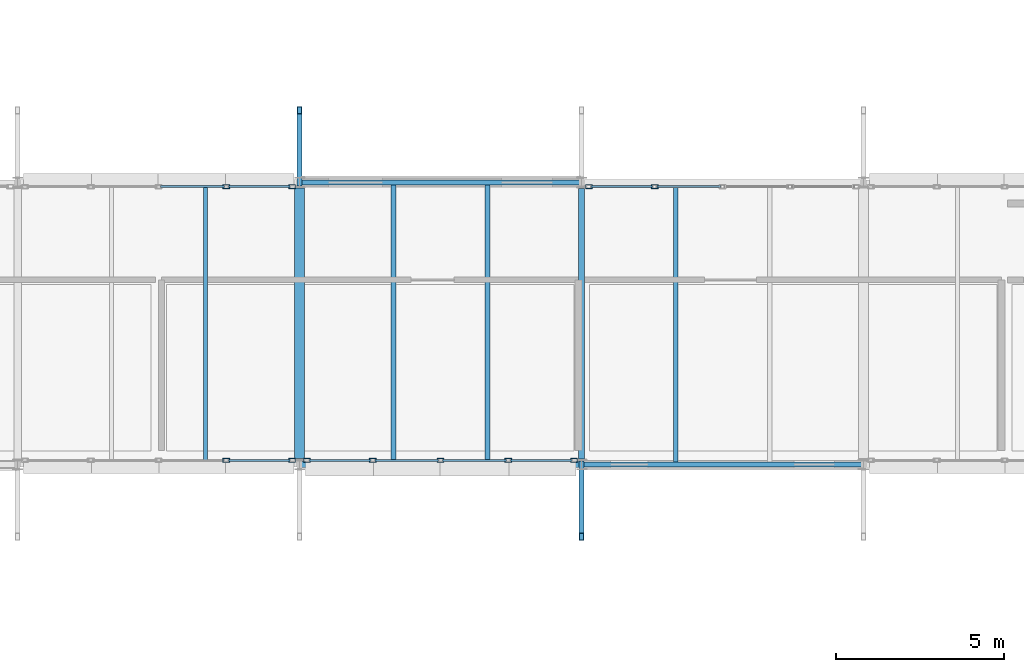
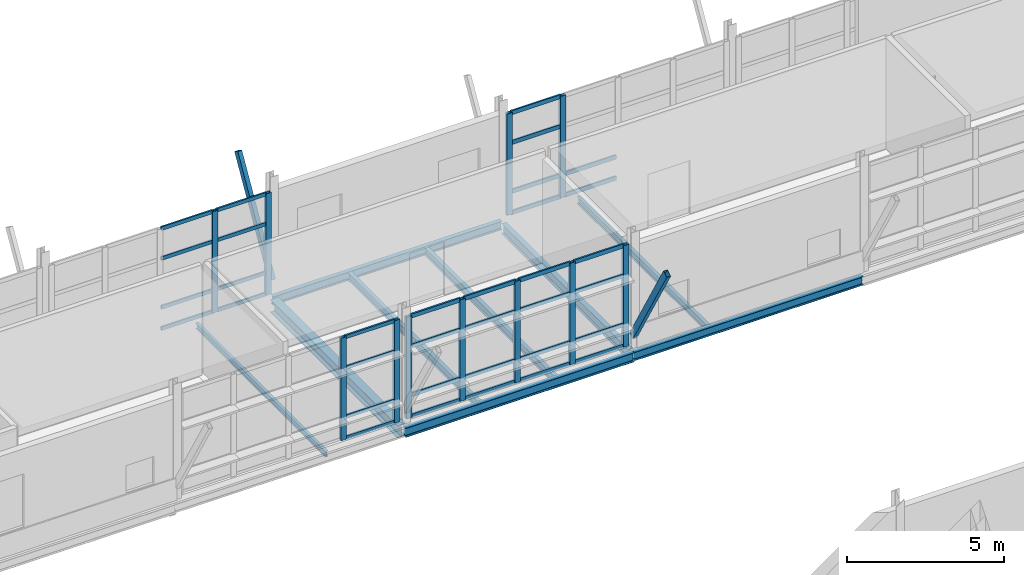
# One storey, part 29 of 129: 47 members, 9 beams, 4 elements without a shape of their own.
"""IFC4 building model written with IfcOpenShell, lengths in metres."""

from ifc_helpers import new_model, si_unit, direction, frame, origin, origin_2d, place, context, subcontext, project, spatial, hollow_rectangle, i_section, extrude, material, material_profile, profile_set, type_object, element, aggregate, save


model = new_model("IFC4")

# Units and contexts
model_context = context("Model", 3, precision=1e-05, world=origin(), true_north=direction((0.0, 1.0)))
body_context = subcontext(model_context, "Body", "Model", "MODEL_VIEW")
ifc_project = project(units=[si_unit("LENGTHUNIT", "METRE"), si_unit("AREAUNIT", "SQUARE_METRE"), si_unit("VOLUMEUNIT", "CUBIC_METRE"), si_unit("PLANEANGLEUNIT", "RADIAN"), si_unit("MASSUNIT", "GRAM", prefix="KILO")], contexts=[model_context])

# Site, building, storey
site_placement = place(None, origin())
site = spatial("IfcSite", under=ifc_project, at=site_placement, CompositionType="ELEMENT")
building_placement = place(site_placement, origin())
building = spatial("IfcBuilding", under=site, at=building_placement, Name="Mersafa Astral City Hall", CompositionType="ELEMENT")
storey_placement = place(building_placement, frame((0.0, 0.0, 5.39990234375)))
storey = spatial("IfcBuildingStorey", under=building, at=storey_placement, Name="L01", CompositionType="ELEMENT", Elevation=5.39990234375)

# Curtain wall, members
ifc_material_1 = material(Name="Anodised bronze aluminium framing", Category="aluminium")
curtain_wall_type_1 = type_object("IfcCurtainWallType", Name="ENV-CW-1", PredefinedType="USERDEFINED", material=ifc_material_1)
curtain_wall_1_placement = place(storey_placement, origin())
curtain_wall_1 = element("IfcCurtainWall", 1, at=curtain_wall_1_placement, inside=storey, type_object=curtain_wall_type_1, Name="L01 Unitised solar curtain wall 96", ObjectType="UNITISED CURTAIN WALL", PredefinedType="USERDEFINED")
ifc_material_profile_1 = material_profile(ifc_material_1, hollow_rectangle(XDim=0.1201171875, YDim=0.199951171875, WallThickness=0.008056640625, at=origin_2d()), Name="RHS 120x200x8")
ifc_profile_set_1 = profile_set([ifc_material_profile_1], Name="Anodised bronze aluminium framing")
member_type_1 = type_object("IfcMemberType", Name="ENV-CW-MUL-2", PredefinedType="MULLION", material=ifc_profile_set_1)
member_1_placement = place(storey_placement, frame((77.781005859375, 58.679931640625, -0.001953125), z_axis=(0.0, 0.0, 1.0), x_axis=(0.0, -1.0, 0.0)))
member_1 = element("IfcMember", 2, at=member_1_placement, type_object=member_type_1, Name="CW-1 mullion 4", PredefinedType="MULLION", context=body_context, shape_type="SweptSolid", body=[
    extrude(hollow_rectangle(XDim=0.1201171875, YDim=0.199951171875, WallThickness=0.008056640625, at=origin_2d()), origin(), (0.0, 0.0, 1.0), 3.93896484375),
])
member_2_placement = place(storey_placement, frame((75.822021484375, 58.679931640625, -0.001953125), z_axis=(0.0, 0.0, 1.0), x_axis=(0.0, -1.0, 0.0)))
member_2 = element("IfcMember", 3, at=member_2_placement, type_object=member_type_1, Name="CW-1 mullion 5", PredefinedType="MULLION", context=body_context, shape_type="SweptSolid", body=[
    extrude(hollow_rectangle(XDim=0.1201171875, YDim=0.199951171875, WallThickness=0.008056640625, at=origin_2d()), origin(), (0.0, 0.0, 1.0), 3.93896484375),
])

curtain_wall_type_2 = type_object("IfcCurtainWallType", Name="ENV-CW-2", PredefinedType="USERDEFINED", material=ifc_material_1)
curtain_wall_2_placement = place(storey_placement, origin())
curtain_wall_2 = element("IfcCurtainWall", 4, at=curtain_wall_2_placement, inside=storey, type_object=curtain_wall_type_2, Name="L01 Unitised solar curtain wall 97", ObjectType="UNITISED CURTAIN WALL", PredefinedType="USERDEFINED")
member_3_placement = place(storey_placement, frame((66.97802734375, 58.679931640625, -0.001953125), z_axis=(0.0, 0.0, 1.0), x_axis=(0.0, -1.0, 0.0)))
member_3 = element("IfcMember", 5, at=member_3_placement, type_object=member_type_1, Name="CW-2 mullion 1", PredefinedType="MULLION", context=body_context, shape_type="SweptSolid", body=[
    extrude(hollow_rectangle(XDim=0.1201171875, YDim=0.199951171875, WallThickness=0.008056640625, at=origin_2d()), origin(), (0.0, 0.0, 1.0), 3.93896484375),
])
member_4_placement = place(storey_placement, frame((65.01904296875, 58.679931640625, -0.001953125), z_axis=(0.0, 0.0, 1.0), x_axis=(0.0, -1.0, 0.0)))
member_4 = element("IfcMember", 6, at=member_4_placement, type_object=member_type_1, Name="CW-2 mullion 2", PredefinedType="MULLION", context=body_context, shape_type="SweptSolid", body=[
    extrude(hollow_rectangle(XDim=0.1201171875, YDim=0.199951171875, WallThickness=0.008056640625, at=origin_2d()), origin(), (0.0, 0.0, 1.0), 3.93896484375),
])

curtain_wall_type_3 = type_object("IfcCurtainWallType", Name="ENV-CW-6", PredefinedType="USERDEFINED", material=ifc_material_1)
curtain_wall_3_placement = place(storey_placement, origin())
curtain_wall_3 = element("IfcCurtainWall", 7, at=curtain_wall_3_placement, inside=storey, type_object=curtain_wall_type_3, Name="L01 Unitised solar curtain wall 101", ObjectType="UNITISED CURTAIN WALL", PredefinedType="USERDEFINED")
member_5_placement = place(storey_placement, frame((65.01904296875, 50.52001953125, -0.001953125), z_axis=(0.0, 0.0, 1.0), x_axis=(0.0, 1.0, 0.0)))
member_5 = element("IfcMember", 8, at=member_5_placement, type_object=member_type_1, Name="CW-6 mullion 4", PredefinedType="MULLION", context=body_context, shape_type="SweptSolid", body=[
    extrude(hollow_rectangle(XDim=0.1201171875, YDim=0.199951171875, WallThickness=0.008056640625, at=origin_2d()), origin(), (0.0, 0.0, 1.0), 3.968994140625),
])
member_6_placement = place(storey_placement, frame((66.97802734375, 50.52001953125, -0.001953125), z_axis=(0.0, 0.0, 1.0), x_axis=(0.0, 1.0, 0.0)))
member_6 = element("IfcMember", 9, at=member_6_placement, type_object=member_type_1, Name="CW-6 mullion 5", PredefinedType="MULLION", context=body_context, shape_type="SweptSolid", body=[
    extrude(hollow_rectangle(XDim=0.1201171875, YDim=0.199951171875, WallThickness=0.008056640625, at=origin_2d()), origin(), (0.0, 0.0, 1.0), 3.968994140625),
])

curtain_wall_4_placement = place(storey_placement, origin())
curtain_wall_4 = element("IfcCurtainWall", 10, at=curtain_wall_4_placement, inside=storey, type_object=curtain_wall_type_1, Name="L01 Unitised solar curtain wall 102", ObjectType="UNITISED CURTAIN WALL", PredefinedType="USERDEFINED")
member_7_placement = place(storey_placement, frame((67.422119140625, 50.52001953125, -0.001953125), z_axis=(0.0, 0.0, 1.0), x_axis=(0.0, 1.0, 0.0)))
member_7 = element("IfcMember", 11, at=member_7_placement, type_object=member_type_1, Name="CW-1 mullion 1", PredefinedType="MULLION", context=body_context, shape_type="SweptSolid", body=[
    extrude(hollow_rectangle(XDim=0.1201171875, YDim=0.199951171875, WallThickness=0.008056640625, at=origin_2d()), origin(), (0.0, 0.0, 1.0), 3.93896484375),
])
member_8_placement = place(storey_placement, frame((69.381103515625, 50.52001953125, -0.001953125), z_axis=(0.0, 0.0, 1.0), x_axis=(0.0, 1.0, 0.0)))
member_8 = element("IfcMember", 12, at=member_8_placement, type_object=member_type_1, Name="CW-1 mullion 2", PredefinedType="MULLION", context=body_context, shape_type="SweptSolid", body=[
    extrude(hollow_rectangle(XDim=0.1201171875, YDim=0.199951171875, WallThickness=0.008056640625, at=origin_2d()), origin(), (0.0, 0.0, 1.0), 3.93896484375),
])
member_9_placement = place(storey_placement, frame((71.39990234375, 50.52001953125, -0.001953125), z_axis=(0.0, 0.0, 1.0), x_axis=(0.0, 1.0, 0.0)))
member_9 = element("IfcMember", 13, at=member_9_placement, type_object=member_type_1, Name="CW-1 mullion 3", PredefinedType="MULLION", context=body_context, shape_type="SweptSolid", body=[
    extrude(hollow_rectangle(XDim=0.1201171875, YDim=0.199951171875, WallThickness=0.008056640625, at=origin_2d()), origin(), (0.0, 0.0, 1.0), 3.93896484375),
])
member_10_placement = place(storey_placement, frame((73.4189453125, 50.52001953125, -0.001953125), z_axis=(0.0, 0.0, 1.0), x_axis=(0.0, 1.0, 0.0)))
member_10 = element("IfcMember", 14, at=member_10_placement, type_object=member_type_1, Name="CW-1 mullion 4", PredefinedType="MULLION", context=body_context, shape_type="SweptSolid", body=[
    extrude(hollow_rectangle(XDim=0.1201171875, YDim=0.199951171875, WallThickness=0.008056640625, at=origin_2d()), origin(), (0.0, 0.0, 1.0), 3.93896484375),
])
member_11_placement = place(storey_placement, frame((75.3779296875, 50.52001953125, -0.001953125), z_axis=(0.0, 0.0, 1.0), x_axis=(0.0, 1.0, 0.0)))
member_11 = element("IfcMember", 15, at=member_11_placement, type_object=member_type_1, Name="CW-1 mullion 5", PredefinedType="MULLION", context=body_context, shape_type="SweptSolid", body=[
    extrude(hollow_rectangle(XDim=0.1201171875, YDim=0.199951171875, WallThickness=0.008056640625, at=origin_2d()), origin(), (0.0, 0.0, 1.0), 3.93896484375),
])

# Member
ifc_material_profile_2 = material_profile(ifc_material_1, hollow_rectangle(XDim=0.06005859375, YDim=0.139892578125, WallThickness=0.00390625, at=origin_2d()), Name="RHS 60x140x4")
ifc_profile_set_2 = profile_set([ifc_material_profile_2], Name="Anodised bronze aluminium framing")
member_type_2 = type_object("IfcMemberType", Name="ENV-CW-TRN-1", PredefinedType="USERDEFINED", material=ifc_profile_set_2)
member_12_placement = place(storey_placement, frame((66.91796875, 58.679931640625, 0.028076171875), z_axis=(-1.0, 0.0, 0.0), x_axis=(0.0, -1.0, 0.0)))
member_12 = element("IfcMember", 16, at=member_12_placement, type_object=member_type_2, Name="CW-2 transom 1.1", ObjectType="TRANSOM", PredefinedType="USERDEFINED", context=body_context, shape_type="SweptSolid", body=[
    extrude(hollow_rectangle(XDim=0.06005859375, YDim=0.139892578125, WallThickness=0.00390625, at=origin_2d()), origin(), (0.0, 0.0, 1.0), 1.8388671875),
])

member_13_placement = place(storey_placement, frame((66.91796875, 58.679931640625, 0.85009765625), z_axis=(-1.0, 0.0, 0.0), x_axis=(0.0, -1.0, 0.0)))
member_13 = element("IfcMember", 17, at=member_13_placement, type_object=member_type_2, Name="CW-2 transom 1.2", ObjectType="TRANSOM", PredefinedType="USERDEFINED", context=body_context, shape_type="SweptSolid", body=[
    extrude(hollow_rectangle(XDim=0.06005859375, YDim=0.139892578125, WallThickness=0.00390625, at=origin_2d()), origin(), (0.0, 0.0, 1.0), 1.8388671875),
])

member_14_placement = place(storey_placement, frame((66.91796875, 58.679931640625, 2.75), z_axis=(-1.0, 0.0, 0.0), x_axis=(0.0, -1.0, 0.0)))
member_14 = element("IfcMember", 18, at=member_14_placement, type_object=member_type_2, Name="CW-2 transom 1.3", ObjectType="TRANSOM", PredefinedType="USERDEFINED", context=body_context, shape_type="SweptSolid", body=[
    extrude(hollow_rectangle(XDim=0.06005859375, YDim=0.139892578125, WallThickness=0.00390625, at=origin_2d()), origin(), (0.0, 0.0, 1.0), 1.8388671875),
])

member_15_placement = place(storey_placement, frame((66.91796875, 58.679931640625, 3.906982421875), z_axis=(-1.0, 0.0, 0.0), x_axis=(0.0, -1.0, 0.0)))
member_15 = element("IfcMember", 19, at=member_15_placement, type_object=member_type_2, Name="CW-2 transom 1.4", ObjectType="TRANSOM", PredefinedType="USERDEFINED", context=body_context, shape_type="SweptSolid", body=[
    extrude(hollow_rectangle(XDim=0.06005859375, YDim=0.139892578125, WallThickness=0.00390625, at=origin_2d()), origin(), (0.0, 0.0, 1.0), 1.8388671875),
])

member_16_placement = place(storey_placement, frame((64.958984375, 58.679931640625, 0.028076171875), z_axis=(-1.0, 0.0, 0.0), x_axis=(0.0, -1.0, 0.0)))
member_16 = element("IfcMember", 20, at=member_16_placement, type_object=member_type_2, Name="CW-2 transom 2.1", ObjectType="TRANSOM", PredefinedType="USERDEFINED", context=body_context, shape_type="SweptSolid", body=[
    extrude(hollow_rectangle(XDim=0.06005859375, YDim=0.139892578125, WallThickness=0.00390625, at=origin_2d()), origin(), (0.0, 0.0, 1.0), 1.89892578125),
])

member_17_placement = place(storey_placement, frame((64.958984375, 58.679931640625, 0.85009765625), z_axis=(-1.0, 0.0, 0.0), x_axis=(0.0, -1.0, 0.0)))
member_17 = element("IfcMember", 21, at=member_17_placement, type_object=member_type_2, Name="CW-2 transom 2.2", ObjectType="TRANSOM", PredefinedType="USERDEFINED", context=body_context, shape_type="SweptSolid", body=[
    extrude(hollow_rectangle(XDim=0.06005859375, YDim=0.139892578125, WallThickness=0.00390625, at=origin_2d()), origin(), (0.0, 0.0, 1.0), 1.89892578125),
])

member_18_placement = place(storey_placement, frame((64.958984375, 58.679931640625, 2.75), z_axis=(-1.0, 0.0, 0.0), x_axis=(0.0, -1.0, 0.0)))
member_18 = element("IfcMember", 22, at=member_18_placement, type_object=member_type_2, Name="CW-2 transom 2.3", ObjectType="TRANSOM", PredefinedType="USERDEFINED", context=body_context, shape_type="SweptSolid", body=[
    extrude(hollow_rectangle(XDim=0.06005859375, YDim=0.139892578125, WallThickness=0.00390625, at=origin_2d()), origin(), (0.0, 0.0, 1.0), 1.89892578125),
])

member_19_placement = place(storey_placement, frame((64.958984375, 58.679931640625, 3.906982421875), z_axis=(-1.0, 0.0, 0.0), x_axis=(0.0, -1.0, 0.0)))
member_19 = element("IfcMember", 23, at=member_19_placement, type_object=member_type_2, Name="CW-2 transom 2.4", ObjectType="TRANSOM", PredefinedType="USERDEFINED", context=body_context, shape_type="SweptSolid", body=[
    extrude(hollow_rectangle(XDim=0.06005859375, YDim=0.139892578125, WallThickness=0.00390625, at=origin_2d()), origin(), (0.0, 0.0, 1.0), 1.89892578125),
])

aggregate(curtain_wall_2, [member_3, member_4, member_12, member_13, member_14, member_15, member_16, member_17, member_18, member_19])

member_20_placement = place(storey_placement, frame((65.0791015625, 50.52001953125, 0.028076171875), z_axis=(1.0, 0.0, 0.0), x_axis=(0.0, 1.0, 0.0)))
member_20 = element("IfcMember", 24, at=member_20_placement, type_object=member_type_2, Name="CW-6 transom 4.1", ObjectType="TRANSOM", PredefinedType="USERDEFINED", context=body_context, shape_type="SweptSolid", body=[
    extrude(hollow_rectangle(XDim=0.06005859375, YDim=0.139892578125, WallThickness=0.00390625, at=origin_2d()), origin(), (0.0, 0.0, 1.0), 1.8388671875),
])

member_21_placement = place(storey_placement, frame((65.0791015625, 50.52001953125, 0.85009765625), z_axis=(1.0, 0.0, 0.0), x_axis=(0.0, 1.0, 0.0)))
member_21 = element("IfcMember", 25, at=member_21_placement, type_object=member_type_2, Name="CW-6 transom 4.2", ObjectType="TRANSOM", PredefinedType="USERDEFINED", context=body_context, shape_type="SweptSolid", body=[
    extrude(hollow_rectangle(XDim=0.06005859375, YDim=0.139892578125, WallThickness=0.00390625, at=origin_2d()), origin(), (0.0, 0.0, 1.0), 1.8388671875),
])

member_22_placement = place(storey_placement, frame((65.0791015625, 50.52001953125, 2.75), z_axis=(1.0, 0.0, 0.0), x_axis=(0.0, 1.0, 0.0)))
member_22 = element("IfcMember", 26, at=member_22_placement, type_object=member_type_2, Name="CW-6 transom 4.3", ObjectType="TRANSOM", PredefinedType="USERDEFINED", context=body_context, shape_type="SweptSolid", body=[
    extrude(hollow_rectangle(XDim=0.06005859375, YDim=0.139892578125, WallThickness=0.00390625, at=origin_2d()), origin(), (0.0, 0.0, 1.0), 1.8388671875),
])

member_23_placement = place(storey_placement, frame((65.0791015625, 50.52001953125, 3.93701171875), z_axis=(1.0, 0.0, 0.0), x_axis=(0.0, 1.0, 0.0)))
member_23 = element("IfcMember", 27, at=member_23_placement, type_object=member_type_2, Name="CW-6 transom 4.4", ObjectType="TRANSOM", PredefinedType="USERDEFINED", context=body_context, shape_type="SweptSolid", body=[
    extrude(hollow_rectangle(XDim=0.06005859375, YDim=0.139892578125, WallThickness=0.00390625, at=origin_2d()), origin(), (0.0, 0.0, 1.0), 1.8388671875),
])

aggregate(curtain_wall_3, [member_5, member_6, member_20, member_21, member_22, member_23])

ifc_material_profile_3 = material_profile(ifc_material_1, hollow_rectangle(XDim=0.06005859375, YDim=0.159912109375, WallThickness=0.00390625, at=origin_2d()), Name="RHS 60x160x4")
ifc_profile_set_3 = profile_set([ifc_material_profile_3], Name="Anodised bronze aluminium framing")
member_type_3 = type_object("IfcMemberType", Name="ENV-CW-TRN-2", PredefinedType="USERDEFINED", material=ifc_profile_set_3)
member_24_placement = place(storey_placement, frame((79.739990234375, 58.679931640625, 0.028076171875), z_axis=(-1.0, 0.0, 0.0), x_axis=(0.0, -1.0, 0.0)))
member_24 = element("IfcMember", 28, at=member_24_placement, type_object=member_type_3, Name="CW-1 transom 3.1", ObjectType="TRANSOM", PredefinedType="USERDEFINED", context=body_context, shape_type="SweptSolid", body=[
    extrude(hollow_rectangle(XDim=0.06005859375, YDim=0.159912109375, WallThickness=0.00390625, at=origin_2d()), origin(), (0.0, 0.0, 1.0), 1.89892578125),
])

member_25_placement = place(storey_placement, frame((79.739990234375, 58.679931640625, 0.85009765625), z_axis=(-1.0, 0.0, 0.0), x_axis=(0.0, -1.0, 0.0)))
member_25 = element("IfcMember", 29, at=member_25_placement, type_object=member_type_3, Name="CW-1 transom 3.2", ObjectType="TRANSOM", PredefinedType="USERDEFINED", context=body_context, shape_type="SweptSolid", body=[
    extrude(hollow_rectangle(XDim=0.06005859375, YDim=0.159912109375, WallThickness=0.00390625, at=origin_2d()), origin(), (0.0, 0.0, 1.0), 1.89892578125),
])

member_26_placement = place(storey_placement, frame((77.720947265625, 58.679931640625, 0.028076171875), z_axis=(-1.0, 0.0, 0.0), x_axis=(0.0, -1.0, 0.0)))
member_26 = element("IfcMember", 30, at=member_26_placement, type_object=member_type_3, Name="CW-1 transom 4.1", ObjectType="TRANSOM", PredefinedType="USERDEFINED", context=body_context, shape_type="SweptSolid", body=[
    extrude(hollow_rectangle(XDim=0.06005859375, YDim=0.159912109375, WallThickness=0.00390625, at=origin_2d()), origin(), (0.0, 0.0, 1.0), 1.8388671875),
])

member_27_placement = place(storey_placement, frame((77.720947265625, 58.679931640625, 0.85009765625), z_axis=(-1.0, 0.0, 0.0), x_axis=(0.0, -1.0, 0.0)))
member_27 = element("IfcMember", 31, at=member_27_placement, type_object=member_type_3, Name="CW-1 transom 4.2", ObjectType="TRANSOM", PredefinedType="USERDEFINED", context=body_context, shape_type="SweptSolid", body=[
    extrude(hollow_rectangle(XDim=0.06005859375, YDim=0.159912109375, WallThickness=0.00390625, at=origin_2d()), origin(), (0.0, 0.0, 1.0), 1.8388671875),
])

member_28_placement = place(storey_placement, frame((77.720947265625, 58.679931640625, 2.75), z_axis=(-1.0, 0.0, 0.0), x_axis=(0.0, -1.0, 0.0)))
member_28 = element("IfcMember", 32, at=member_28_placement, type_object=member_type_3, Name="CW-1 transom 4.3", ObjectType="TRANSOM", PredefinedType="USERDEFINED", context=body_context, shape_type="SweptSolid", body=[
    extrude(hollow_rectangle(XDim=0.06005859375, YDim=0.159912109375, WallThickness=0.00390625, at=origin_2d()), origin(), (0.0, 0.0, 1.0), 1.8388671875),
])

member_29_placement = place(storey_placement, frame((77.720947265625, 58.679931640625, 3.906982421875), z_axis=(-1.0, 0.0, 0.0), x_axis=(0.0, -1.0, 0.0)))
member_29 = element("IfcMember", 33, at=member_29_placement, type_object=member_type_3, Name="CW-1 transom 4.4", ObjectType="TRANSOM", PredefinedType="USERDEFINED", context=body_context, shape_type="SweptSolid", body=[
    extrude(hollow_rectangle(XDim=0.06005859375, YDim=0.159912109375, WallThickness=0.00390625, at=origin_2d()), origin(), (0.0, 0.0, 1.0), 1.8388671875),
])

aggregate(curtain_wall_1, [member_1, member_2, member_24, member_25, member_26, member_27, member_28, member_29])

member_30_placement = place(storey_placement, frame((67.48193359375, 50.52001953125, 0.028076171875), z_axis=(1.0, 0.0, 0.0), x_axis=(0.0, 1.0, 0.0)))
member_30 = element("IfcMember", 34, at=member_30_placement, type_object=member_type_3, Name="CW-1 transom 1.1", ObjectType="TRANSOM", PredefinedType="USERDEFINED", context=body_context, shape_type="SweptSolid", body=[
    extrude(hollow_rectangle(XDim=0.06005859375, YDim=0.159912109375, WallThickness=0.00390625, at=origin_2d()), origin(), (0.0, 0.0, 1.0), 1.839111328125),
])

member_31_placement = place(storey_placement, frame((67.48193359375, 50.52001953125, 0.85009765625), z_axis=(1.0, 0.0, 0.0), x_axis=(0.0, 1.0, 0.0)))
member_31 = element("IfcMember", 35, at=member_31_placement, type_object=member_type_3, Name="CW-1 transom 1.2", ObjectType="TRANSOM", PredefinedType="USERDEFINED", context=body_context, shape_type="SweptSolid", body=[
    extrude(hollow_rectangle(XDim=0.06005859375, YDim=0.159912109375, WallThickness=0.00390625, at=origin_2d()), origin(), (0.0, 0.0, 1.0), 1.839111328125),
])

member_32_placement = place(storey_placement, frame((67.48193359375, 50.52001953125, 2.75), z_axis=(1.0, 0.0, 0.0), x_axis=(0.0, 1.0, 0.0)))
member_32 = element("IfcMember", 36, at=member_32_placement, type_object=member_type_3, Name="CW-1 transom 1.3", ObjectType="TRANSOM", PredefinedType="USERDEFINED", context=body_context, shape_type="SweptSolid", body=[
    extrude(hollow_rectangle(XDim=0.06005859375, YDim=0.159912109375, WallThickness=0.00390625, at=origin_2d()), origin(), (0.0, 0.0, 1.0), 1.839111328125),
])

member_33_placement = place(storey_placement, frame((67.48193359375, 50.52001953125, 3.906982421875), z_axis=(1.0, 0.0, 0.0), x_axis=(0.0, 1.0, 0.0)))
member_33 = element("IfcMember", 37, at=member_33_placement, type_object=member_type_3, Name="CW-1 transom 1.4", ObjectType="TRANSOM", PredefinedType="USERDEFINED", context=body_context, shape_type="SweptSolid", body=[
    extrude(hollow_rectangle(XDim=0.06005859375, YDim=0.159912109375, WallThickness=0.00390625, at=origin_2d()), origin(), (0.0, 0.0, 1.0), 1.839111328125),
])

member_34_placement = place(storey_placement, frame((69.44091796875, 50.52001953125, 0.028076171875), z_axis=(1.0, 0.0, 0.0), x_axis=(0.0, 1.0, 0.0)))
member_34 = element("IfcMember", 38, at=member_34_placement, type_object=member_type_3, Name="CW-1 transom 2.1", ObjectType="TRANSOM", PredefinedType="USERDEFINED", context=body_context, shape_type="SweptSolid", body=[
    extrude(hollow_rectangle(XDim=0.06005859375, YDim=0.159912109375, WallThickness=0.00390625, at=origin_2d()), origin(), (0.0, 0.0, 1.0), 1.899169921875),
])

member_35_placement = place(storey_placement, frame((69.44091796875, 50.52001953125, 0.85009765625), z_axis=(1.0, 0.0, 0.0), x_axis=(0.0, 1.0, 0.0)))
member_35 = element("IfcMember", 39, at=member_35_placement, type_object=member_type_3, Name="CW-1 transom 2.2", ObjectType="TRANSOM", PredefinedType="USERDEFINED", context=body_context, shape_type="SweptSolid", body=[
    extrude(hollow_rectangle(XDim=0.06005859375, YDim=0.159912109375, WallThickness=0.00390625, at=origin_2d()), origin(), (0.0, 0.0, 1.0), 1.899169921875),
])

member_36_placement = place(storey_placement, frame((69.44091796875, 50.52001953125, 2.75), z_axis=(1.0, 0.0, 0.0), x_axis=(0.0, 1.0, 0.0)))
member_36 = element("IfcMember", 40, at=member_36_placement, type_object=member_type_3, Name="CW-1 transom 2.3", ObjectType="TRANSOM", PredefinedType="USERDEFINED", context=body_context, shape_type="SweptSolid", body=[
    extrude(hollow_rectangle(XDim=0.06005859375, YDim=0.159912109375, WallThickness=0.00390625, at=origin_2d()), origin(), (0.0, 0.0, 1.0), 1.899169921875),
])

member_37_placement = place(storey_placement, frame((69.44091796875, 50.52001953125, 3.906982421875), z_axis=(1.0, 0.0, 0.0), x_axis=(0.0, 1.0, 0.0)))
member_37 = element("IfcMember", 41, at=member_37_placement, type_object=member_type_3, Name="CW-1 transom 2.4", ObjectType="TRANSOM", PredefinedType="USERDEFINED", context=body_context, shape_type="SweptSolid", body=[
    extrude(hollow_rectangle(XDim=0.06005859375, YDim=0.159912109375, WallThickness=0.00390625, at=origin_2d()), origin(), (0.0, 0.0, 1.0), 1.899169921875),
])

member_38_placement = place(storey_placement, frame((71.4599609375, 50.52001953125, 0.028076171875), z_axis=(1.0, 0.0, 0.0), x_axis=(0.0, 1.0, 0.0)))
member_38 = element("IfcMember", 42, at=member_38_placement, type_object=member_type_3, Name="CW-1 transom 3.1", ObjectType="TRANSOM", PredefinedType="USERDEFINED", context=body_context, shape_type="SweptSolid", body=[
    extrude(hollow_rectangle(XDim=0.06005859375, YDim=0.159912109375, WallThickness=0.00390625, at=origin_2d()), origin(), (0.0, 0.0, 1.0), 1.89892578125),
])

member_39_placement = place(storey_placement, frame((71.4599609375, 50.52001953125, 0.85009765625), z_axis=(1.0, 0.0, 0.0), x_axis=(0.0, 1.0, 0.0)))
member_39 = element("IfcMember", 43, at=member_39_placement, type_object=member_type_3, Name="CW-1 transom 3.2", ObjectType="TRANSOM", PredefinedType="USERDEFINED", context=body_context, shape_type="SweptSolid", body=[
    extrude(hollow_rectangle(XDim=0.06005859375, YDim=0.159912109375, WallThickness=0.00390625, at=origin_2d()), origin(), (0.0, 0.0, 1.0), 1.89892578125),
])

member_40_placement = place(storey_placement, frame((71.4599609375, 50.52001953125, 2.75), z_axis=(1.0, 0.0, 0.0), x_axis=(0.0, 1.0, 0.0)))
member_40 = element("IfcMember", 44, at=member_40_placement, type_object=member_type_3, Name="CW-1 transom 3.3", ObjectType="TRANSOM", PredefinedType="USERDEFINED", context=body_context, shape_type="SweptSolid", body=[
    extrude(hollow_rectangle(XDim=0.06005859375, YDim=0.159912109375, WallThickness=0.00390625, at=origin_2d()), origin(), (0.0, 0.0, 1.0), 1.89892578125),
])

member_41_placement = place(storey_placement, frame((71.4599609375, 50.52001953125, 3.906982421875), z_axis=(1.0, 0.0, 0.0), x_axis=(0.0, 1.0, 0.0)))
member_41 = element("IfcMember", 45, at=member_41_placement, type_object=member_type_3, Name="CW-1 transom 3.4", ObjectType="TRANSOM", PredefinedType="USERDEFINED", context=body_context, shape_type="SweptSolid", body=[
    extrude(hollow_rectangle(XDim=0.06005859375, YDim=0.159912109375, WallThickness=0.00390625, at=origin_2d()), origin(), (0.0, 0.0, 1.0), 1.89892578125),
])

member_42_placement = place(storey_placement, frame((73.47900390625, 50.52001953125, 0.028076171875), z_axis=(1.0, 0.0, 0.0), x_axis=(0.0, 1.0, 0.0)))
member_42 = element("IfcMember", 46, at=member_42_placement, type_object=member_type_3, Name="CW-1 transom 4.1", ObjectType="TRANSOM", PredefinedType="USERDEFINED", context=body_context, shape_type="SweptSolid", body=[
    extrude(hollow_rectangle(XDim=0.06005859375, YDim=0.159912109375, WallThickness=0.00390625, at=origin_2d()), origin(), (0.0, 0.0, 1.0), 1.839111328125),
])

member_43_placement = place(storey_placement, frame((73.47900390625, 50.52001953125, 0.85009765625), z_axis=(1.0, 0.0, 0.0), x_axis=(0.0, 1.0, 0.0)))
member_43 = element("IfcMember", 47, at=member_43_placement, type_object=member_type_3, Name="CW-1 transom 4.2", ObjectType="TRANSOM", PredefinedType="USERDEFINED", context=body_context, shape_type="SweptSolid", body=[
    extrude(hollow_rectangle(XDim=0.06005859375, YDim=0.159912109375, WallThickness=0.00390625, at=origin_2d()), origin(), (0.0, 0.0, 1.0), 1.839111328125),
])

member_44_placement = place(storey_placement, frame((73.47900390625, 50.52001953125, 2.75), z_axis=(1.0, 0.0, 0.0), x_axis=(0.0, 1.0, 0.0)))
member_44 = element("IfcMember", 48, at=member_44_placement, type_object=member_type_3, Name="CW-1 transom 4.3", ObjectType="TRANSOM", PredefinedType="USERDEFINED", context=body_context, shape_type="SweptSolid", body=[
    extrude(hollow_rectangle(XDim=0.06005859375, YDim=0.159912109375, WallThickness=0.00390625, at=origin_2d()), origin(), (0.0, 0.0, 1.0), 1.839111328125),
])

member_45_placement = place(storey_placement, frame((73.47900390625, 50.52001953125, 3.906982421875), z_axis=(1.0, 0.0, 0.0), x_axis=(0.0, 1.0, 0.0)))
member_45 = element("IfcMember", 49, at=member_45_placement, type_object=member_type_3, Name="CW-1 transom 4.4", ObjectType="TRANSOM", PredefinedType="USERDEFINED", context=body_context, shape_type="SweptSolid", body=[
    extrude(hollow_rectangle(XDim=0.06005859375, YDim=0.159912109375, WallThickness=0.00390625, at=origin_2d()), origin(), (0.0, 0.0, 1.0), 1.839111328125),
])

aggregate(curtain_wall_4, [member_7, member_8, member_9, member_10, member_11, member_30, member_31, member_32, member_33, member_34, member_35, member_36, member_37, member_38, member_39, member_40, member_41, member_42, member_43, member_44, member_45])

# Beams
ifc_material_2 = material(Name="Steel S355", Category="steel")
ifc_material_profile_4 = material_profile(ifc_material_2, i_section(OverallWidth=0.300048828125, OverallDepth=0.489990234375, WebThickness=0.011962890625, FlangeThickness=0.02294921875, FilletRadius=0.027099609375, at=origin_2d()), Name="HEA 500")
ifc_profile_set_4 = profile_set([ifc_material_profile_4], Name="Steel S355")
beam_type_1 = type_object("IfcBeamType", Name="STR-BM-HEA500", PredefinedType="BEAM", material=ifc_profile_set_4)
beam_1_placement = place(storey_placement, frame((67.199951171875, 50.574951171875, -0.469970703125), z_axis=(0.0, 1.0, 0.0), x_axis=(-1.0, 0.0, 0.0)))
element("IfcBeam", 50, at=beam_1_placement, inside=storey, type_object=beam_type_1, Name="L01 Primary girder Y 8-6", PredefinedType="BEAM", context=body_context, shape_type="SweptSolid", body=[
    extrude(i_section(OverallWidth=0.300048828125, OverallDepth=0.489990234375, WebThickness=0.011962890625, FlangeThickness=0.02294921875, FilletRadius=0.027099609375, at=origin_2d()), origin(), (0.0, 0.0, 1.0), 8.06005859375),
])
ifc_material_profile_5 = material_profile(ifc_material_2, i_section(OverallWidth=0.179931640625, OverallDepth=0.39990234375, WebThickness=0.008544921875, FlangeThickness=0.013427734375, FilletRadius=0.02099609375, at=origin_2d()), Name="IPE 400")
ifc_profile_set_5 = profile_set([ifc_material_profile_5], Name="Steel S355")
beam_type_2 = type_object("IfcBeamType", Name="STR-BM-IPE400", PredefinedType="BEAM", material=ifc_profile_set_5)
beam_2_placement = place(storey_placement, frame((75.60009765625, 50.56494140625, -0.4248046875), z_axis=(0.0, 1.0, 0.0), x_axis=(-1.0, 0.0, 0.0)))
element("IfcBeam", 51, at=beam_2_placement, inside=storey, type_object=beam_type_2, Name="L01 Primary girder Y 9-6", PredefinedType="BEAM", context=body_context, shape_type="SweptSolid", body=[
    extrude(i_section(OverallWidth=0.179931640625, OverallDepth=0.39990234375, WebThickness=0.008544921875, FlangeThickness=0.013427734375, FilletRadius=0.02099609375, at=origin_2d()), origin(), (0.0, 0.0, 1.0), 8.06005859375),
])
ifc_material_profile_6 = material_profile(ifc_material_2, i_section(OverallWidth=0.110107421875, OverallDepth=0.219970703125, WebThickness=0.005859375, FlangeThickness=0.00927734375, FilletRadius=0.011962890625, at=origin_2d()), Name="IPE 220")
ifc_profile_set_6 = profile_set([ifc_material_profile_6], Name="Steel S355")
beam_type_3 = type_object("IfcBeamType", Name="STR-BM-JOIST-IPE220", PredefinedType="JOIST", material=ifc_profile_set_6)
beam_3_placement = place(storey_placement, frame((64.39990234375, 50.47509765625, -0.3349609375), z_axis=(0.0, 1.0, 0.0), x_axis=(-1.0, 0.0, 0.0)))
element("IfcBeam", 52, at=beam_3_placement, inside=storey, type_object=beam_type_3, Name="L01 Composite secondary floor joist 251", PredefinedType="JOIST", context=body_context, shape_type="SweptSolid", body=[
    extrude(i_section(OverallWidth=0.110107421875, OverallDepth=0.219970703125, WebThickness=0.005859375, FlangeThickness=0.00927734375, FilletRadius=0.011962890625, at=origin_2d()), origin(), (0.0, 0.0, 1.0), 8.244873046875),
])
ifc_material_profile_7 = material_profile(ifc_material_2, i_section(OverallWidth=0.135009765625, OverallDepth=0.27001953125, WebThickness=0.006591796875, FlangeThickness=0.01025390625, FilletRadius=0.014892578125, at=origin_2d()), Name="IPE 270")
ifc_profile_set_7 = profile_set([ifc_material_profile_7], Name="Steel S355")
beam_type_4 = type_object("IfcBeamType", Name="STR-BM-JOIST-IPE270", PredefinedType="JOIST", material=ifc_profile_set_7)
beam_4_placement = place(storey_placement, frame((78.39990234375, 50.47509765625, -0.35986328125), z_axis=(0.0, 1.0, 0.0), x_axis=(-1.0, 0.0, 0.0)))
element("IfcBeam", 53, at=beam_4_placement, inside=storey, type_object=beam_type_4, Name="L01 Composite secondary floor joist 258", PredefinedType="JOIST", context=body_context, shape_type="SweptSolid", body=[
    extrude(i_section(OverallWidth=0.135009765625, OverallDepth=0.27001953125, WebThickness=0.006591796875, FlangeThickness=0.01025390625, FilletRadius=0.014892578125, at=origin_2d()), origin(), (0.0, 0.0, 1.0), 8.244873046875),
])
ifc_material_profile_8 = material_profile(ifc_material_2, i_section(OverallWidth=0.14990234375, OverallDepth=0.300048828125, WebThickness=0.007080078125, FlangeThickness=0.0107421875, FilletRadius=0.014892578125, at=origin_2d()), Name="IPE 300")
ifc_profile_set_8 = profile_set([ifc_material_profile_8], Name="Steel S355")
beam_type_5 = type_object("IfcBeamType", Name="STR-BM-JOIST-IPE300", PredefinedType="JOIST", material=ifc_profile_set_8)
for number, where, z_axis, x_axis, name in (
    (54, (70.0, 50.47998046875, -0.375), (0.0, 1.0, 0.0), (-1.0, 0.0, 0.0), "L01 Composite secondary floor joist 254"),
    (55, (72.800048828125, 50.47998046875, -0.375), (0.0, 1.0, 0.0), (-1.0, 0.0, 0.0), "L01 Composite secondary floor joist 255"),
):
    element("IfcBeam", number, at=place(storey_placement, frame(where, z_axis=z_axis, x_axis=x_axis)), inside=storey, type_object=beam_type_5, Name=name, PredefinedType="JOIST", context=body_context, shape_type="SweptSolid", body=[
        extrude(i_section(OverallWidth=0.14990234375, OverallDepth=0.300048828125, WebThickness=0.007080078125, FlangeThickness=0.0107421875, FilletRadius=0.014892578125, at=origin_2d()), origin(), (0.0, 0.0, 1.0), 8.2451171875),
    ])
ifc_material_profile_9 = material_profile(ifc_material_2, i_section(OverallWidth=0.159912109375, OverallDepth=0.330078125, WebThickness=0.007568359375, FlangeThickness=0.011474609375, FilletRadius=0.01806640625, at=origin_2d()), Name="IPE 330")
ifc_profile_set_9 = profile_set([ifc_material_profile_9], Name="Steel S355")
beam_type_6 = type_object("IfcBeamType", Name="STR-BM-SPANDREL-IPE330", PredefinedType="SPANDREL", material=ifc_profile_set_9)
for number, where, z_axis, x_axis, name in (
    (56, (75.60302734375, 50.39990234375, -0.389892578125), (1.0, 0.0, 0.0), (0.0, 1.0, 0.0), "L01 Primary girder X 9-6"),
    (57, (67.202880859375, 58.800048828125, -0.389892578125), (1.0, 0.0, 0.0), (0.0, 1.0, 0.0), "L01 Primary girder X 8-7"),
):
    element("IfcBeam", number, at=place(storey_placement, frame(where, z_axis=z_axis, x_axis=x_axis)), inside=storey, type_object=beam_type_6, Name=name, PredefinedType="SPANDREL", context=body_context, shape_type="SweptSolid", body=[
        extrude(i_section(OverallWidth=0.159912109375, OverallDepth=0.330078125, WebThickness=0.007568359375, FlangeThickness=0.011474609375, FilletRadius=0.01806640625, at=origin_2d()), origin(), (0.0, 0.0, 1.0), 8.39404296875),
    ])
ifc_material_profile_10 = material_profile(ifc_material_2, i_section(OverallWidth=0.169921875, OverallDepth=0.360107421875, WebThickness=0.008056640625, FlangeThickness=0.0126953125, FilletRadius=0.01806640625, at=origin_2d()), Name="IPE 360")
ifc_profile_set_10 = profile_set([ifc_material_profile_10], Name="Steel S355")
beam_type_7 = type_object("IfcBeamType", Name="STR-BM-SPANDREL-IPE360", PredefinedType="SPANDREL", material=ifc_profile_set_10)
beam_5_placement = place(storey_placement, frame((67.202880859375, 50.39990234375, -0.40478515625), z_axis=(1.0, 0.0, 0.0), x_axis=(0.0, 1.0, 0.0)))
element("IfcBeam", 58, at=beam_5_placement, inside=storey, type_object=beam_type_7, Name="L01 Primary girder X 8-6", PredefinedType="SPANDREL", context=body_context, shape_type="SweptSolid", body=[
    extrude(i_section(OverallWidth=0.169921875, OverallDepth=0.360107421875, WebThickness=0.008056640625, FlangeThickness=0.0126953125, FilletRadius=0.01806640625, at=origin_2d()), origin(), (0.0, 0.0, 1.0), 8.39404296875),
])

# Members
ifc_material_profile_11 = material_profile(ifc_material_2, hollow_rectangle(XDim=0.14990234375, YDim=0.25, WallThickness=0.010009765625, at=origin_2d()), Name="RHS 150x250x10")
ifc_profile_set_11 = profile_set([ifc_material_profile_11], Name="Steel S355")
member_type_4 = type_object("IfcMemberType", Name="STR-MBR-STRUT-RHS150X250", PredefinedType="BRACE", material=ifc_profile_set_11)
for number, where, z_axis, x_axis, name in (
    (59, (67.199951171875, 58.800048828125, 0.400146484375), (0.0, 0.503423090929, 0.864040040461), (-1.0, 0.0, 0.0), "L01 Raked cosmic eave strut ROOF-T3-V4S N-8"),
    (60, (75.60009765625, 50.39990234375, 0.400146484375), (0.0, -0.503423090929, 0.864040040461), (1.0, 0.0, 0.0), "L01 Raked cosmic eave strut ROOF-T3-V4S S-9"),
):
    element("IfcMember", number, at=place(storey_placement, frame(where, z_axis=z_axis, x_axis=x_axis)), inside=storey, type_object=member_type_4, Name=name, PredefinedType="BRACE", context=body_context, shape_type="SweptSolid", body=[
        extrude(hollow_rectangle(XDim=0.14990234375, YDim=0.25, WallThickness=0.010009765625, at=origin_2d()), origin(), (0.0, 0.0, 1.0), 4.2705078125),
    ])

save(model, "model.ifc")
